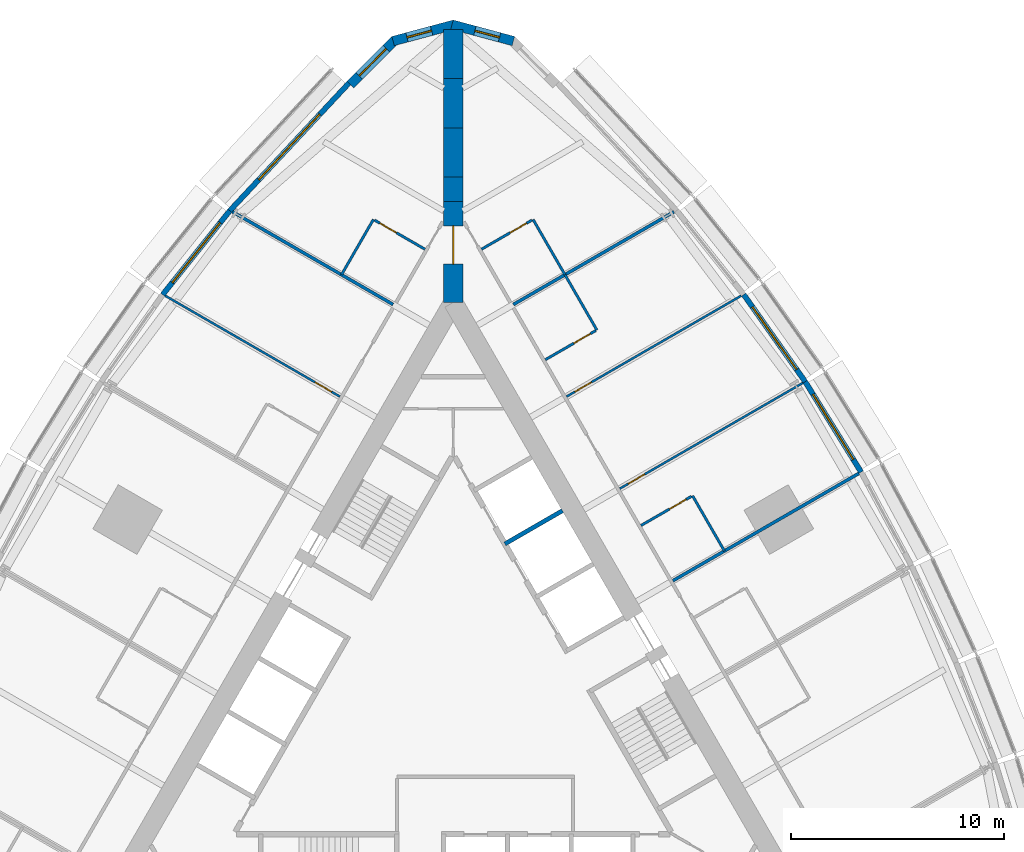
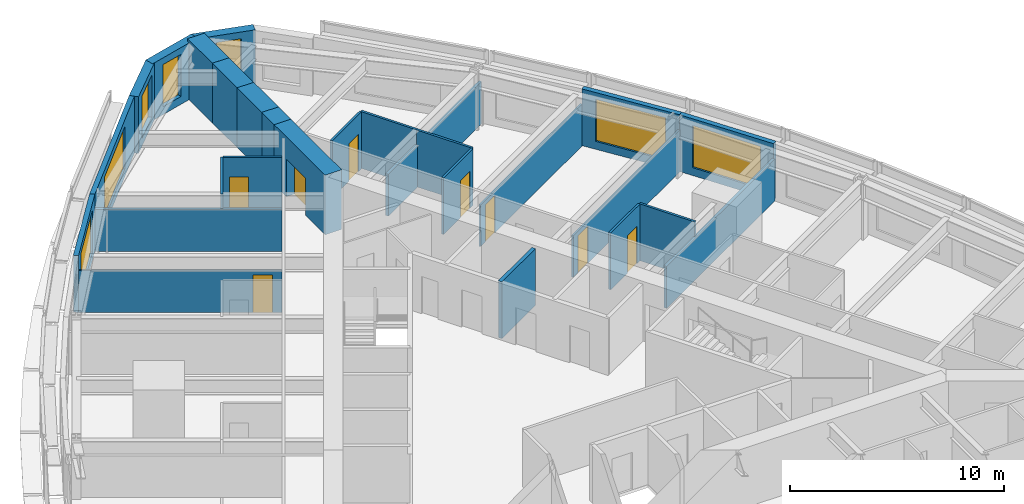
# One storey, part 12 of 14: 27 walls, 8 doors, 7 windows, 15 openings.
"""IFC4 building model written with IfcOpenShell, lengths in metres."""

from ifc_helpers import new_model, si_unit, direction, frame, frame_2d, origin, place, context, subcontext, project, spatial, polyline, rectangle, outline, extrude, material, layer, layer_set, type_object, element, fill, save


model = new_model("IFC4")

# Units and contexts
model_context = context("Model", 3, precision=1e-05, world=origin(), true_north=direction((0.0, 1.0)))
body_context = subcontext(model_context, "Body", "Model", "MODEL_VIEW")
ifc_project = project(units=[si_unit("LENGTHUNIT", "METRE"), si_unit("AREAUNIT", "SQUARE_METRE"), si_unit("VOLUMEUNIT", "CUBIC_METRE"), si_unit("PLANEANGLEUNIT", "RADIAN"), si_unit("MASSUNIT", "GRAM", prefix="KILO")], contexts=[model_context])

# Site, building, storey
site_placement = place(None, origin())
site = spatial("IfcSite", under=ifc_project, at=site_placement, CompositionType="ELEMENT")
building_placement = place(site_placement, origin())
building = spatial("IfcBuilding", under=site, at=building_placement, Name="Trikona Tower", CompositionType="ELEMENT")
storey_placement = place(building_placement, frame((0.0, 0.0, 89.699951171875)))
storey = spatial("IfcBuildingStorey", under=building, at=storey_placement, Name="L23", CompositionType="ELEMENT", Elevation=89.699951171875)

# Wall
ifc_material_1 = material(Name="Metal stud and cement board", Category="gypsum")
ifc_layer_1 = layer(ifc_material_1, 0.1201171875)
ifc_layer_set_1 = layer_set([ifc_layer_1], Name="Bathroom wall 120")
wall_type_1 = type_object("IfcWallType", Name="Bathroom wall 120", PredefinedType="PLUMBINGWALL", material=ifc_layer_set_1)
wall_1_placement = place(storey_placement, frame((12.75341796875, 7.363037109375, 0.0), z_axis=(0.0, 0.0, 1.0), x_axis=(-0.499990139034, 0.866031096941, 0.0)))
element("IfcWall", 1, at=wall_1_placement, inside=storey, type_object=wall_type_1, Name="Bathroom wall 2310.1", PredefinedType="PLUMBINGWALL", context=body_context, shape_type="SweptSolid", body=[
    extrude(rectangle(XDim=3.0, YDim=0.1201171875, at=frame_2d((1.5, 0.0))), origin(), (0.0, 0.0, 1.0), 3.235107421875),
])

# Wall, opening, door
wall_2_placement = place(storey_placement, frame((8.82861328125, 8.561279296875, 0.0), z_axis=(0.0, 0.0, 1.0), x_axis=(0.866035715982, 0.499982138324, 0.0)))
wall_2 = element("IfcWall", 2, at=wall_2_placement, inside=storey, type_object=wall_type_1, Name="Bathroom wall 2310.1", PredefinedType="PLUMBINGWALL", context=body_context, shape_type="SweptSolid", body=[
    extrude(rectangle(XDim=2.73974609375, YDim=0.1201171875, at=frame_2d((1.369873046875, 0.0))), origin(), (0.0, 0.0, 1.0), 3.235107421875),
])
opening_1_placement = place(wall_2_placement, frame((1.550048828125, 0.0, 0.0)))
opening_1 = element("IfcOpeningElement", 3, at=opening_1_placement, cuts=wall_2, Name="Opening D2", PredefinedType="OPENING", context=body_context, shape_type="SweptSolid", body=[
    extrude(rectangle(XDim=0.89990234375, YDim=2.1298828125, at=frame_2d((0.449951171875, 1.06494140625))), frame((0.0, 0.070068359375, 0.0), z_axis=(0.0, -1.0, 0.0), x_axis=(1.0, 0.0, 0.0)), (0.0, 0.0, 1.0), 0.14013671875),
])
ifc_material_2 = material(Name="Steel door frame with solid-core timber leaf", Category="steel")
door_type_1 = type_object("IfcDoorType", Name="Bathroom door 900x2130", OperationType="SLIDING_TO_LEFT", PredefinedType="DOOR", material=ifc_material_2)
door_1_placement = place(opening_1_placement, origin())
door_1 = element("IfcDoor", 4, at=door_1_placement, inside=storey, type_object=door_type_1, Name="Bathroom door 2310.1", OperationType="SLIDING_TO_LEFT", OverallHeight=2.1298828125, OverallWidth=0.89990234375, PredefinedType="DOOR", context=body_context, shape_type="SweptSolid", body=[
    extrude(rectangle(XDim=0.89990234375, YDim=2.1298828125, at=frame_2d((0.449951171875, 1.06494140625))), frame((0.0, 0.02490234375, 0.0), z_axis=(0.0, -1.0, 0.0), x_axis=(1.0, 0.0, 0.0)), (0.0, 0.0, 1.0), 0.050048828125),
])
fill(opening_1, door_1)

# Wall
wall_3_placement = place(storey_placement, frame((6.75341796875, 17.75537109375, 0.0), z_axis=(0.0, 0.0, 1.0), x_axis=(-0.499990139034, 0.866031096941, 0.0)))
element("IfcWall", 5, at=wall_3_placement, inside=storey, type_object=wall_type_1, Name="Bathroom wall 2310.2", PredefinedType="PLUMBINGWALL", context=body_context, shape_type="SweptSolid", body=[
    extrude(rectangle(XDim=3.0, YDim=0.1201171875, at=frame_2d((1.5, 0.0))), origin(), (0.0, 0.0, 1.0), 3.235107421875),
])

# Wall, opening, door
wall_4_placement = place(storey_placement, frame((4.32861328125, 16.35546875, 0.0), z_axis=(0.0, 0.0, 1.0), x_axis=(0.866035715982, 0.499982138324, 0.0)))
wall_4 = element("IfcWall", 6, at=wall_4_placement, inside=storey, type_object=wall_type_1, Name="Bathroom wall 2310.2", PredefinedType="PLUMBINGWALL", context=body_context, shape_type="SweptSolid", body=[
    extrude(rectangle(XDim=2.73974609375, YDim=0.1201171875, at=frame_2d((1.369873046875, 0.0))), origin(), (0.0, 0.0, 1.0), 3.235107421875),
])
opening_2_placement = place(wall_4_placement, frame((1.550048828125, 0.0, 0.0)))
opening_2 = element("IfcOpeningElement", 7, at=opening_2_placement, cuts=wall_4, Name="Opening D2", PredefinedType="OPENING", context=body_context, shape_type="SweptSolid", body=[
    extrude(rectangle(XDim=0.89990234375, YDim=2.1298828125, at=frame_2d((0.449951171875, 1.06494140625))), frame((0.0, 0.070068359375, 0.0), z_axis=(0.0, -1.0, 0.0), x_axis=(1.0, 0.0, 0.0)), (0.0, 0.0, 1.0), 0.14013671875),
])
door_2_placement = place(opening_2_placement, origin())
door_2 = element("IfcDoor", 8, at=door_2_placement, inside=storey, type_object=door_type_1, Name="Bathroom door 2310.2", OperationType="SLIDING_TO_LEFT", OverallHeight=2.1298828125, OverallWidth=0.89990234375, PredefinedType="DOOR", context=body_context, shape_type="SweptSolid", body=[
    extrude(rectangle(XDim=0.89990234375, YDim=2.1298828125, at=frame_2d((0.449951171875, 1.06494140625))), frame((0.0, 0.02490234375, 0.0), z_axis=(0.0, -1.0, 0.0), x_axis=(1.0, 0.0, 0.0)), (0.0, 0.0, 1.0), 0.050048828125),
])
fill(opening_2, door_2)

# Wall
wall_5_placement = place(storey_placement, frame((5.25341796875, 20.353515625, 0.0), z_axis=(0.0, 0.0, 1.0), x_axis=(-0.499990139034, 0.866031096941, 0.0)))
element("IfcWall", 9, at=wall_5_placement, inside=storey, type_object=wall_type_1, Name="Bathroom wall 2311", PredefinedType="PLUMBINGWALL", context=body_context, shape_type="SweptSolid", body=[
    extrude(rectangle(XDim=3.0, YDim=0.1201171875, at=frame_2d((1.5, 0.0))), origin(), (0.0, 0.0, 1.0), 3.235107421875),
])

# Wall, opening, door
wall_6_placement = place(storey_placement, frame((1.32861328125, 21.551513671875, 0.0), z_axis=(0.0, 0.0, 1.0), x_axis=(0.865997131366, 0.500048966069, 0.0)))
wall_6 = element("IfcWall", 10, at=wall_6_placement, inside=storey, type_object=wall_type_1, Name="Bathroom wall 2311", PredefinedType="PLUMBINGWALL", context=body_context, shape_type="SweptSolid", body=[
    extrude(rectangle(XDim=2.739990234375, YDim=0.1201171875, at=frame_2d((1.3701171875, 0.0))), origin(), (0.0, 0.0, 1.0), 3.235107421875),
])
opening_3_placement = place(wall_6_placement, frame((1.550048828125, 0.0, 0.0)))
opening_3 = element("IfcOpeningElement", 11, at=opening_3_placement, cuts=wall_6, Name="Opening D2", PredefinedType="OPENING", context=body_context, shape_type="SweptSolid", body=[
    extrude(rectangle(XDim=0.89990234375, YDim=2.1298828125, at=frame_2d((0.449951171875, 1.06494140625))), frame((0.0, 0.070068359375, 0.0), z_axis=(0.0, -1.0, 0.0), x_axis=(1.0, 0.0, 0.0)), (0.0, 0.0, 1.0), 0.14013671875),
])
door_3_placement = place(opening_3_placement, origin())
door_3 = element("IfcDoor", 12, at=door_3_placement, inside=storey, type_object=door_type_1, Name="Bathroom door 2311", OperationType="SLIDING_TO_LEFT", OverallHeight=2.1298828125, OverallWidth=0.89990234375, PredefinedType="DOOR", context=body_context, shape_type="SweptSolid", body=[
    extrude(rectangle(XDim=0.89990234375, YDim=2.1298828125, at=frame_2d((0.449951171875, 1.06494140625))), frame((0.0, 0.02490234375, 0.0), z_axis=(0.0, -1.0, 0.0), x_axis=(1.0, 0.0, 0.0)), (0.0, 0.0, 1.0), 0.050048828125),
])
fill(opening_3, door_3)

# Wall
wall_7_placement = place(storey_placement, frame((-3.75341796875, 22.95166015625, 0.0), z_axis=(0.0, 0.0, 1.0), x_axis=(-0.499990139034, -0.866031096941, 0.0)))
element("IfcWall", 13, at=wall_7_placement, inside=storey, type_object=wall_type_1, Name="Bathroom wall 2312", PredefinedType="PLUMBINGWALL", context=body_context, shape_type="SweptSolid", body=[
    extrude(rectangle(XDim=3.0, YDim=0.1201171875, at=frame_2d((1.5, 0.0))), origin(), (0.0, 0.0, 1.0), 3.235107421875),
])

# Wall, opening, door
wall_8_placement = place(storey_placement, frame((-1.32861328125, 21.551513671875, 0.0), z_axis=(0.0, 0.0, 1.0), x_axis=(-0.865997131366, 0.500048966069, 0.0)))
wall_8 = element("IfcWall", 14, at=wall_8_placement, inside=storey, type_object=wall_type_1, Name="Bathroom wall 2312", PredefinedType="PLUMBINGWALL", context=body_context, shape_type="SweptSolid", body=[
    extrude(rectangle(XDim=2.739990234375, YDim=0.1201171875, at=frame_2d((1.3701171875, 0.0))), origin(), (0.0, 0.0, 1.0), 3.235107421875),
])
opening_4_placement = place(wall_8_placement, frame((1.550048828125, 0.0, 0.0)))
opening_4 = element("IfcOpeningElement", 15, at=opening_4_placement, cuts=wall_8, Name="Opening D2", PredefinedType="OPENING", context=body_context, shape_type="SweptSolid", body=[
    extrude(rectangle(XDim=0.89990234375, YDim=2.1298828125, at=frame_2d((0.449951171875, 1.06494140625))), frame((0.0, 0.070068359375, 0.0), z_axis=(0.0, -1.0, 0.0), x_axis=(1.0, 0.0, 0.0)), (0.0, 0.0, 1.0), 0.14013671875),
])
door_4_placement = place(opening_4_placement, origin())
door_4 = element("IfcDoor", 16, at=door_4_placement, inside=storey, type_object=door_type_1, Name="Bathroom door 2312", OperationType="SLIDING_TO_LEFT", OverallHeight=2.1298828125, OverallWidth=0.89990234375, PredefinedType="DOOR", context=body_context, shape_type="SweptSolid", body=[
    extrude(rectangle(XDim=0.89990234375, YDim=2.1298828125, at=frame_2d((0.449951171875, 1.06494140625))), frame((0.0, 0.02490234375, 0.0), z_axis=(0.0, -1.0, 0.0), x_axis=(1.0, 0.0, 0.0)), (0.0, 0.0, 1.0), 0.050048828125),
])
fill(opening_4, door_4)

# Wall, opening, window
ifc_material_3 = material(Name="Brick-faced precast concrete", Category="masonry")
ifc_layer_2 = layer(ifc_material_3, 0.449951171875)
ifc_layer_set_2 = layer_set([ifc_layer_2], Name="Brick-faced corner wall 450")
wall_type_2 = type_object("IfcWallType", Name="Brick-faced corner wall 450", PredefinedType="SOLIDWALL", material=ifc_layer_set_2)
wall_9_placement = place(storey_placement, frame((2.82861328125, 31.3408203125, 0.0), z_axis=(0.0, 0.0, 1.0), x_axis=(-0.965930548995, 0.258801419081, 0.0)))
wall_9 = element("IfcWall", 17, at=wall_9_placement, inside=storey, type_object=wall_type_2, Name="External wall L23-21", PredefinedType="SOLIDWALL", context=body_context, shape_type="SweptSolid", body=[
    extrude(outline(polyline([(2.988525390625, 0.22509765625), (2.92919921875, 0.22509765625), (2.4375, 0.09326171875), (2.40234375, 0.22509765625), (0.0, 0.22509765625), (0.0, -0.22509765625), (2.988525390625, -0.22509765625), (2.988525390625, 0.22509765625)])), origin(), (0.0, 0.0, 1.0), 3.235107421875),
])
opening_5_placement = place(wall_9_placement, frame((0.676025390625, 0.0, 0.449951171875)))
opening_5 = element("IfcOpeningElement", 18, at=opening_5_placement, cuts=wall_9, Name="Opening W1224", PredefinedType="OPENING", context=body_context, shape_type="SweptSolid", body=[
    extrude(rectangle(XDim=1.199951171875, YDim=2.39990234375, at=frame_2d((0.60009765625, 1.199951171875))), frame((0.0, 0.23486328125, 0.0), z_axis=(0.0, -1.0, 0.0), x_axis=(1.0, 0.0, 0.0)), (0.0, 0.0, 1.0), 0.469970703125),
])
ifc_material_4 = material(Name="Aluminium-framed double glazing", Category="aluminium")
window_type_1 = type_object("IfcWindowType", Name="Window 1200x2400", PartitioningType="SINGLE_PANEL", PredefinedType="WINDOW", material=ifc_material_4)
window_1_placement = place(opening_5_placement, origin())
window_1 = element("IfcWindow", 19, at=window_1_placement, inside=storey, type_object=window_type_1, Name="Window 2311", OverallHeight=2.39990234375, OverallWidth=1.199951171875, PartitioningType="SINGLE_PANEL", PredefinedType="WINDOW", context=body_context, shape_type="SweptSolid", body=[
    extrude(rectangle(XDim=1.199951171875, YDim=2.39990234375, at=frame_2d((0.60009765625, 1.199951171875))), frame((0.0, 0.030029296875, 0.0), z_axis=(0.0, -1.0, 0.0), x_axis=(1.0, 0.0, 0.0)), (0.0, 0.0, 1.0), 0.06005859375),
])
fill(opening_5, window_1)

wall_10_placement = place(storey_placement, frame((0.05810546875, 32.1142578125, 0.0), z_axis=(0.0, 0.0, 1.0), x_axis=(-0.965930548995, -0.258801419081, 0.0)))
wall_10 = element("IfcWall", 20, at=wall_10_placement, inside=storey, type_object=wall_type_2, Name="External wall L23-22", PredefinedType="SOLIDWALL", context=body_context, shape_type="SweptSolid", body=[
    extrude(outline(polyline([(2.988525390625, 0.22509765625), (0.58642578125, 0.22509765625), (0.551025390625, 0.09326171875), (0.059326171875, 0.22509765625), (0.0, 0.22509765625), (0.0, -0.22509765625), (2.988525390625, -0.22509765625), (2.988525390625, 0.22509765625)])), origin(), (0.0, 0.0, 1.0), 3.235107421875),
])
opening_6_placement = place(wall_10_placement, frame((1.112548828125, 0.0, 0.449951171875)))
opening_6 = element("IfcOpeningElement", 21, at=opening_6_placement, cuts=wall_10, Name="Opening W1224", PredefinedType="OPENING", context=body_context, shape_type="SweptSolid", body=[
    extrude(rectangle(XDim=1.199951171875, YDim=2.39990234375, at=frame_2d((0.60009765625, 1.199951171875))), frame((0.0, 0.23486328125, 0.0), z_axis=(0.0, -1.0, 0.0), x_axis=(1.0, 0.0, 0.0)), (0.0, 0.0, 1.0), 0.469970703125),
])
window_2_placement = place(opening_6_placement, origin())
window_2 = element("IfcWindow", 22, at=window_2_placement, inside=storey, type_object=window_type_1, Name="Window 2312", OverallHeight=2.39990234375, OverallWidth=1.199951171875, PartitioningType="SINGLE_PANEL", PredefinedType="WINDOW", context=body_context, shape_type="SweptSolid", body=[
    extrude(rectangle(XDim=1.199951171875, YDim=2.39990234375, at=frame_2d((0.60009765625, 1.199951171875))), frame((0.0, 0.030029296875, 0.0), z_axis=(0.0, -1.0, 0.0), x_axis=(1.0, 0.0, 0.0)), (0.0, 0.0, 1.0), 0.06005859375),
])
fill(opening_6, window_2)

wall_11_placement = place(storey_placement, frame((-2.727783203125, 31.39892578125, 0.0), z_axis=(0.0, 0.0, 1.0), x_axis=(-0.707106781187, -0.707106781187, 0.0)))
wall_11 = element("IfcWall", 23, at=wall_11_placement, inside=storey, type_object=wall_type_2, Name="External wall L23-23", PredefinedType="SOLIDWALL", context=body_context, shape_type="SweptSolid", body=[
    extrude(rectangle(XDim=2.98828125, YDim=0.449951171875, at=frame_2d((1.494140625, 0.0))), origin(), (0.0, 0.0, 1.0), 3.235107421875),
])
opening_7_placement = place(wall_11_placement, frame((0.59423828125, 0.0, 0.449951171875)))
opening_7 = element("IfcOpeningElement", 24, at=opening_7_placement, cuts=wall_11, Name="Opening W1824", PredefinedType="OPENING", context=body_context, shape_type="SweptSolid", body=[
    extrude(rectangle(XDim=1.800048828125, YDim=2.39990234375, at=frame_2d((0.89990234375, 1.199951171875))), frame((0.0, 0.23486328125, 0.0), z_axis=(0.0, -1.0, 0.0), x_axis=(1.0, 0.0, 0.0)), (0.0, 0.0, 1.0), 0.469970703125),
])
ifc_material_5 = material(Name="Aluminium-framed double glazing", Category="aluminium")
window_type_2 = type_object("IfcWindowType", Name="Window 1800x2400", PartitioningType="SINGLE_PANEL", PredefinedType="WINDOW", material=ifc_material_5)
window_3_placement = place(opening_7_placement, origin())
window_3 = element("IfcWindow", 25, at=window_3_placement, inside=storey, type_object=window_type_2, Name="Window 2312", OverallHeight=2.39990234375, OverallWidth=1.800048828125, PartitioningType="SINGLE_PANEL", PredefinedType="WINDOW", context=body_context, shape_type="SweptSolid", body=[
    extrude(rectangle(XDim=1.800048828125, YDim=2.39990234375, at=frame_2d((0.89990234375, 1.199951171875))), frame((0.0, 0.030029296875, 0.0), z_axis=(0.0, -1.0, 0.0), x_axis=(1.0, 0.0, 0.0)), (0.0, 0.0, 1.0), 0.06005859375),
])
fill(opening_7, window_3)

# Wall, opening, door
ifc_material_6 = material(Name="Concrete f'c 10000 psi", Category="concrete")
ifc_layer_3 = layer(ifc_material_6, 0.89990234375)
ifc_layer_set_3 = layer_set([ifc_layer_3], Name="Buttress wall 900")
wall_type_3 = type_object("IfcWallType", Name="Buttress wall 900", PredefinedType="SHEAR", material=ifc_layer_set_3)
wall_12_placement = place(storey_placement, frame((0.0, 19.052490234375, 0.0), z_axis=(0.0, 0.0, 1.0), x_axis=(0.0, 1.0, 0.0)))
wall_12 = element("IfcWall", 26, at=wall_12_placement, inside=storey, type_object=wall_type_3, Name="Buttress wall 2", PredefinedType="SHEAR", context=body_context, shape_type="SweptSolid", body=[
    extrude(rectangle(XDim=4.74609375, YDim=0.89990234375, at=frame_2d((2.373046875, 0.0))), origin(), (0.0, 0.0, 1.0), 3.400146484375),
])
opening_8_placement = place(wall_12_placement, frame((1.800048828125, 0.0, 0.0)))
opening_8 = element("IfcOpeningElement", 27, at=opening_8_placement, cuts=wall_12, Name="Opening D10", PredefinedType="OPENING", context=body_context, shape_type="SweptSolid", body=[
    extrude(rectangle(XDim=1.800048828125, YDim=2.1298828125, at=frame_2d((0.89990234375, 1.06494140625))), frame((0.0, 0.4599609375, 0.0), z_axis=(0.0, -1.0, 0.0), x_axis=(1.0, 0.0, 0.0)), (0.0, 0.0, 1.0), 0.919921875),
])
ifc_material_7 = material(Name="Hollow metal door and frame", Category="steel")
door_type_2 = type_object("IfcDoorType", Name="Cross-corridor door pair 1800x2130", OperationType="DOUBLE_DOOR_DOUBLE_SWING", PredefinedType="DOOR", material=ifc_material_7)
door_5_placement = place(opening_8_placement, origin())
door_5 = element("IfcDoor", 28, at=door_5_placement, inside=storey, type_object=door_type_2, Name="Cross-corridor door 2", OperationType="DOUBLE_DOOR_DOUBLE_SWING", OverallHeight=2.1298828125, OverallWidth=1.800048828125, PredefinedType="DOOR", context=body_context, shape_type="SweptSolid", body=[
    extrude(rectangle(XDim=1.800048828125, YDim=2.1298828125, at=frame_2d((0.89990234375, 1.06494140625))), frame((0.0, 0.02490234375, 0.0), z_axis=(0.0, -1.0, 0.0), x_axis=(1.0, 0.0, 0.0)), (0.0, 0.0, 1.0), 0.050048828125),
])
fill(opening_8, door_5)

# Walls
wall_13_placement = place(storey_placement, frame((0.0, 23.798583984375, 0.0), z_axis=(0.0, 0.0, 1.0), x_axis=(0.0, 1.0, 0.0)))
element("IfcWall", 29, at=wall_13_placement, inside=storey, type_object=wall_type_3, Name="Buttress wall 2 part 2", PredefinedType="SHEAR", context=body_context, shape_type="SweptSolid", body=[
    extrude(rectangle(XDim=1.15478515625, YDim=0.89990234375, at=frame_2d((0.577392578125, 0.0))), origin(), (0.0, 0.0, 1.0), 3.400146484375),
])
wall_14_placement = place(storey_placement, frame((0.0, 24.953369140625, 0.0), z_axis=(0.0, 0.0, 1.0), x_axis=(0.0, 1.0, 0.0)))
element("IfcWall", 30, at=wall_14_placement, inside=storey, type_object=wall_type_3, Name="Buttress wall 2 part 3", PredefinedType="SHEAR", context=body_context, shape_type="SweptSolid", body=[
    extrude(rectangle(XDim=2.309326171875, YDim=0.89990234375, at=frame_2d((1.15478515625, 0.0))), origin(), (0.0, 0.0, 1.0), 3.400146484375),
])
wall_15_placement = place(storey_placement, frame((0.0, 27.2626953125, 0.0), z_axis=(0.0, 0.0, 1.0), x_axis=(0.0, 1.0, 0.0)))
element("IfcWall", 31, at=wall_15_placement, inside=storey, type_object=wall_type_3, Name="Buttress wall 2 part 4", PredefinedType="SHEAR", context=body_context, shape_type="SweptSolid", body=[
    extrude(rectangle(XDim=2.3095703125, YDim=0.89990234375, at=frame_2d((1.15478515625, 0.0))), origin(), (0.0, 0.0, 1.0), 3.400146484375),
])
wall_16_placement = place(storey_placement, frame((0.0, 29.572265625, 0.0), z_axis=(0.0, 0.0, 1.0), x_axis=(0.0, 1.0, 0.0)))
element("IfcWall", 32, at=wall_16_placement, inside=storey, type_object=wall_type_3, Name="Buttress wall 2 part 5", PredefinedType="SHEAR", context=body_context, shape_type="SweptSolid", body=[
    extrude(rectangle(XDim=2.309326171875, YDim=0.89990234375, at=frame_2d((1.15478515625, 0.0))), origin(), (0.0, 0.0, 1.0), 3.400146484375),
])

# Wall, opening, window
ifc_material_8 = material(Name="Insulated precast concrete spandrel panel", Category="concrete")
ifc_layer_4 = layer(ifc_material_8, 0.25)
ifc_layer_set_4 = layer_set([ifc_layer_4], Name="Inner skin wall 250")
wall_type_4 = type_object("IfcWallType", Name="Inner skin wall 250", PredefinedType="STANDARD", material=ifc_layer_set_4)
wall_17_placement = place(storey_placement, frame((19.182373046875, 11.070556640625, 0.0), z_axis=(0.0, 0.0, 1.0), x_axis=(-0.526132807704, 0.850402415717, 0.0)))
wall_17 = element("IfcWall", 33, at=wall_17_placement, inside=storey, type_object=wall_type_4, Name="External wall L23-16", PredefinedType="STANDARD", context=body_context, shape_type="SweptSolid", body=[
    extrude(rectangle(XDim=5.002197265625, YDim=0.25, at=frame_2d((2.5009765625, 0.0))), origin(), (0.0, 0.0, 1.0), 3.235107421875),
])
opening_9_placement = place(wall_17_placement, frame((0.701171875, 0.0, 0.449951171875)))
opening_9 = element("IfcOpeningElement", 34, at=opening_9_placement, cuts=wall_17, Name="Opening W3624", PredefinedType="OPENING", context=body_context, shape_type="SweptSolid", body=[
    extrude(rectangle(XDim=3.60009765625, YDim=2.39990234375, at=frame_2d((1.800048828125, 1.199951171875))), frame((0.0, 0.135009765625, 0.0), z_axis=(0.0, -1.0, 0.0), x_axis=(1.0, 0.0, 0.0)), (0.0, 0.0, 1.0), 0.27001953125),
])
ifc_material_9 = material(Name="Aluminium-framed double glazing", Category="aluminium")
window_type_3 = type_object("IfcWindowType", Name="Window 3600x2400", PartitioningType="SINGLE_PANEL", PredefinedType="WINDOW", material=ifc_material_9)
window_4_placement = place(opening_9_placement, origin())
window_4 = element("IfcWindow", 35, at=window_4_placement, inside=storey, type_object=window_type_3, Name="Window 2310.1", OverallHeight=2.39990234375, OverallWidth=3.60009765625, PartitioningType="SINGLE_PANEL", PredefinedType="WINDOW", context=body_context, shape_type="SweptSolid", body=[
    extrude(rectangle(XDim=3.60009765625, YDim=2.39990234375, at=frame_2d((1.800048828125, 1.199951171875))), frame((0.0, 0.030029296875, 0.0), z_axis=(0.0, -1.0, 0.0), x_axis=(1.0, 0.0, 0.0)), (0.0, 0.0, 1.0), 0.06005859375),
])
fill(opening_9, window_4)

wall_18_placement = place(storey_placement, frame((16.5546875, 15.318115234375, 0.0), z_axis=(0.0, 0.0, 1.0), x_axis=(-0.5766431066, 0.81699616132, 0.0)))
wall_18 = element("IfcWall", 36, at=wall_18_placement, inside=storey, type_object=wall_type_4, Name="External wall L23-17", PredefinedType="STANDARD", context=body_context, shape_type="SweptSolid", body=[
    extrude(rectangle(XDim=5.02099609375, YDim=0.25, at=frame_2d((2.510498046875, 0.0))), origin(), (0.0, 0.0, 1.0), 3.235107421875),
])
opening_10_placement = place(wall_18_placement, frame((0.71044921875, 0.0, 0.449951171875)))
opening_10 = element("IfcOpeningElement", 37, at=opening_10_placement, cuts=wall_18, Name="Opening W3624", PredefinedType="OPENING", context=body_context, shape_type="SweptSolid", body=[
    extrude(rectangle(XDim=3.60009765625, YDim=2.39990234375, at=frame_2d((1.800048828125, 1.199951171875))), frame((0.0, 0.135009765625, 0.0), z_axis=(0.0, -1.0, 0.0), x_axis=(1.0, 0.0, 0.0)), (0.0, 0.0, 1.0), 0.27001953125),
])
window_5_placement = place(opening_10_placement, origin())
window_5 = element("IfcWindow", 38, at=window_5_placement, inside=storey, type_object=window_type_3, Name="Window 2310", OverallHeight=2.39990234375, OverallWidth=3.60009765625, PartitioningType="SINGLE_PANEL", PredefinedType="WINDOW", context=body_context, shape_type="SweptSolid", body=[
    extrude(rectangle(XDim=3.60009765625, YDim=2.39990234375, at=frame_2d((1.800048828125, 1.199951171875))), frame((0.0, 0.030029296875, 0.0), z_axis=(0.0, -1.0, 0.0), x_axis=(1.0, 0.0, 0.0)), (0.0, 0.0, 1.0), 0.06005859375),
])
fill(opening_10, window_5)

wall_19_placement = place(storey_placement, frame((-4.90869140625, 29.359619140625, 0.0), z_axis=(0.0, 0.0, 1.0), x_axis=(-0.682289646561, -0.731081964075, 0.0)))
wall_19 = element("IfcWall", 39, at=wall_19_placement, inside=storey, type_object=wall_type_4, Name="External wall L23-24", PredefinedType="STANDARD", context=body_context, shape_type="SweptSolid", body=[
    extrude(rectangle(XDim=8.2109375, YDim=0.25, at=frame_2d((4.10546875, 0.0))), origin(), (0.0, 0.0, 1.0), 3.235107421875),
])
opening_11_placement = place(wall_19_placement, frame((2.005615234375, 0.0, 0.449951171875)))
opening_11 = element("IfcOpeningElement", 40, at=opening_11_placement, cuts=wall_19, Name="Opening W4224", PredefinedType="OPENING", context=body_context, shape_type="SweptSolid", body=[
    extrude(rectangle(XDim=4.199951171875, YDim=2.39990234375, at=frame_2d((2.10009765625, 1.199951171875))), frame((0.0, 0.135009765625, 0.0), z_axis=(0.0, -1.0, 0.0), x_axis=(1.0, 0.0, 0.0)), (0.0, 0.0, 1.0), 0.27001953125),
])
ifc_material_10 = material(Name="Aluminium-framed double glazing", Category="aluminium")
window_type_4 = type_object("IfcWindowType", Name="Window 4200x2400", PartitioningType="SINGLE_PANEL", PredefinedType="WINDOW", material=ifc_material_10)
window_6_placement = place(opening_11_placement, origin())
window_6 = element("IfcWindow", 41, at=window_6_placement, inside=storey, type_object=window_type_4, Name="Window 2312", OverallHeight=2.39990234375, OverallWidth=4.199951171875, PartitioningType="SINGLE_PANEL", PredefinedType="WINDOW", context=body_context, shape_type="SweptSolid", body=[
    extrude(rectangle(XDim=4.199951171875, YDim=2.39990234375, at=frame_2d((2.10009765625, 1.199951171875))), frame((0.0, 0.030029296875, 0.0), z_axis=(0.0, -1.0, 0.0), x_axis=(1.0, 0.0, 0.0)), (0.0, 0.0, 1.0), 0.06005859375),
])
fill(opening_11, window_6)

wall_20_placement = place(storey_placement, frame((-10.5048828125, 23.36376953125, 0.0), z_axis=(0.0, 0.0, 1.0), x_axis=(-0.624594965756, -0.780948864364, 0.0)))
wall_20 = element("IfcWall", 42, at=wall_20_placement, inside=storey, type_object=wall_type_4, Name="External wall L23-25", PredefinedType="STANDARD", context=body_context, shape_type="SweptSolid", body=[
    extrude(rectangle(XDim=5.0576171875, YDim=0.25, at=frame_2d((2.52880859375, 0.0))), origin(), (0.0, 0.0, 1.0), 3.235107421875),
])
opening_12_placement = place(wall_20_placement, frame((0.728759765625, 0.0, 0.449951171875)))
opening_12 = element("IfcOpeningElement", 43, at=opening_12_placement, cuts=wall_20, Name="Opening W3624", PredefinedType="OPENING", context=body_context, shape_type="SweptSolid", body=[
    extrude(rectangle(XDim=3.60009765625, YDim=2.39990234375, at=frame_2d((1.800048828125, 1.199951171875))), frame((0.0, 0.135009765625, 0.0), z_axis=(0.0, -1.0, 0.0), x_axis=(1.0, 0.0, 0.0)), (0.0, 0.0, 1.0), 0.27001953125),
])
window_7_placement = place(opening_12_placement, origin())
window_7 = element("IfcWindow", 44, at=window_7_placement, inside=storey, type_object=window_type_3, Name="Window 2313", OverallHeight=2.39990234375, OverallWidth=3.60009765625, PartitioningType="SINGLE_PANEL", PredefinedType="WINDOW", context=body_context, shape_type="SweptSolid", body=[
    extrude(rectangle(XDim=3.60009765625, YDim=2.39990234375, at=frame_2d((1.800048828125, 1.199951171875))), frame((0.0, 0.030029296875, 0.0), z_axis=(0.0, -1.0, 0.0), x_axis=(1.0, 0.0, 0.0)), (0.0, 0.0, 1.0), 0.06005859375),
])
fill(opening_12, window_7)

# Walls
ifc_material_11 = material(Name="Metal stud and gypsum board, 1-hour acoustic", Category="gypsum")
ifc_layer_5 = layer(ifc_material_11, 0.14990234375)
ifc_layer_set_5 = layer_set([ifc_layer_5], Name="Party wall 150")
wall_type_5 = type_object("IfcWallType", Name="Party wall 150", PredefinedType="PARTITIONING", material=ifc_layer_set_5)
wall_21_placement = place(storey_placement, frame((10.32861328125, 5.963134765625, 0.0), z_axis=(0.0, 0.0, 1.0), x_axis=(0.866021688545, 0.500006434927, 0.0)))
element("IfcWall", 45, at=wall_21_placement, inside=storey, type_object=wall_type_5, Name="Partition L23 F2 u0", PredefinedType="PARTITIONING", context=body_context, shape_type="SweptSolid", body=[
    extrude(rectangle(XDim=10.095947265625, YDim=0.14990234375, at=frame_2d((5.0478515625, 0.0))), origin(), (0.0, 0.0, 1.0), 2.38916015625),
])
for number, where, z_axis, x_axis, name in (
    (46, (2.82861328125, 18.95361328125, 0.0), (0.0, 0.0, 1.0), (0.866020536561, 0.500008430184, 0.0), "Partition L23 F2 u15"),
    (47, (-2.82861328125, 18.95361328125, 0.0), (0.0, 0.0, 1.0), (-0.866020536561, 0.500008430184, 0.0), "Partition L23 F3 u-15"),
):
    element("IfcWall", number, at=place(storey_placement, frame(where, z_axis=z_axis, x_axis=x_axis)), inside=storey, type_object=wall_type_5, Name=name, PredefinedType="PARTITIONING", context=body_context, shape_type="SweptSolid", body=[
        extrude(rectangle(XDim=8.719970703125, YDim=0.14990234375, at=frame_2d((4.35986328125, 0.0))), origin(), (0.0, 0.0, 1.0), 2.38916015625),
    ])
ifc_material_12 = material(Name="Concrete f'c 8000 psi", Category="concrete")
ifc_layer_6 = layer(ifc_material_12, 0.199951171875)
ifc_layer_set_6 = layer_set([ifc_layer_6], Name="Shaft wall 200")
wall_type_6 = type_object("IfcWallType", Name="Shaft wall 200", PredefinedType="SOLIDWALL", material=ifc_layer_set_6)
wall_22_placement = place(storey_placement, frame((2.428955078125, 7.695556640625, 0.0), z_axis=(0.0, 0.0, 1.0), x_axis=(0.866022959057, 0.500004234368, 0.0)))
element("IfcWall", 48, at=wall_22_placement, inside=storey, type_object=wall_type_6, Name="Shaft wall B5", PredefinedType="SOLIDWALL", context=body_context, shape_type="SweptSolid", body=[
    extrude(rectangle(XDim=3.125, YDim=0.199951171875, at=frame_2d((1.5625, 0.0))), origin(), (0.0, 0.0, 1.0), 3.235107421875),
])

# Wall, opening, door
ifc_material_13 = material(Name="Metal stud and gypsum board, acoustic", Category="gypsum")
ifc_layer_7 = layer(ifc_material_13, 0.10009765625)
ifc_layer_set_7 = layer_set([ifc_layer_7], Name="Suite partition 100")
wall_type_7 = type_object("IfcWallType", Name="Suite partition 100", PredefinedType="PARTITIONING", material=ifc_layer_set_7)
wall_23_placement = place(storey_placement, frame((7.82861328125, 10.293212890625, 0.0), z_axis=(0.0, 0.0, 1.0), x_axis=(0.866016302457, 0.50001576363, 0.0)))
wall_23 = element("IfcWall", 49, at=wall_23_placement, inside=storey, type_object=wall_type_7, Name="Suite partition L23 F2 u5", PredefinedType="PARTITIONING", context=body_context, shape_type="SweptSolid", body=[
    extrude(rectangle(XDim=9.943115234375, YDim=0.10009765625, at=frame_2d((4.9716796875, 0.0))), origin(), (0.0, 0.0, 1.0), 2.38916015625),
])
opening_13_placement = place(wall_23_placement, frame((0.449951171875, 0.0, 0.0)))
opening_13 = element("IfcOpeningElement", 50, at=opening_13_placement, cuts=wall_23, Name="Opening D13", PredefinedType="OPENING", context=body_context, shape_type="SweptSolid", body=[
    extrude(rectangle(XDim=0.89990234375, YDim=2.1298828125, at=frame_2d((0.449951171875, 1.06494140625))), frame((0.0, 0.06005859375, 0.0), z_axis=(0.0, -1.0, 0.0), x_axis=(1.0, 0.0, 0.0)), (0.0, 0.0, 1.0), 0.1201171875),
])
ifc_material_14 = material(Name="Steel door frame with solid-core timber leaf", Category="steel")
door_type_3 = type_object("IfcDoorType", Name="Suite door 900x2130", OperationType="SINGLE_SWING_LEFT", PredefinedType="DOOR", material=ifc_material_14)
door_6_placement = place(opening_13_placement, origin())
door_6 = element("IfcDoor", 51, at=door_6_placement, inside=storey, type_object=door_type_3, Name="Suite door 2310", OperationType="SINGLE_SWING_LEFT", OverallHeight=2.1298828125, OverallWidth=0.89990234375, PredefinedType="DOOR", context=body_context, shape_type="SweptSolid", body=[
    extrude(rectangle(XDim=0.89990234375, YDim=2.1298828125, at=frame_2d((0.449951171875, 1.06494140625))), frame((0.0, 0.02490234375, 0.0), z_axis=(0.0, -1.0, 0.0), x_axis=(1.0, 0.0, 0.0)), (0.0, 0.0, 1.0), 0.050048828125),
])
fill(opening_13, door_6)

wall_24_placement = place(storey_placement, frame((5.32861328125, 14.623291015625, 0.0), z_axis=(0.0, 0.0, 1.0), x_axis=(0.866018409083, 0.500012114982, 0.0)))
wall_24 = element("IfcWall", 52, at=wall_24_placement, inside=storey, type_object=wall_type_7, Name="Suite partition L23 F2 u10", PredefinedType="PARTITIONING", context=body_context, shape_type="SweptSolid", body=[
    extrude(rectangle(XDim=9.484619140625, YDim=0.10009765625, at=frame_2d((4.7421875, 0.0))), origin(), (0.0, 0.0, 1.0), 2.38916015625),
])
opening_14_placement = place(wall_24_placement, frame((0.449951171875, 0.0, 0.0)))
opening_14 = element("IfcOpeningElement", 53, at=opening_14_placement, cuts=wall_24, Name="Opening D13", PredefinedType="OPENING", context=body_context, shape_type="SweptSolid", body=[
    extrude(rectangle(XDim=0.89990234375, YDim=2.1298828125, at=frame_2d((0.449951171875, 1.06494140625))), frame((0.0, 0.06005859375, 0.0), z_axis=(0.0, -1.0, 0.0), x_axis=(1.0, 0.0, 0.0)), (0.0, 0.0, 1.0), 0.1201171875),
])
door_7_placement = place(opening_14_placement, origin())
door_7 = element("IfcDoor", 54, at=door_7_placement, inside=storey, type_object=door_type_3, Name="Suite door 2310", OperationType="SINGLE_SWING_LEFT", OverallHeight=2.1298828125, OverallWidth=0.89990234375, PredefinedType="DOOR", context=body_context, shape_type="SweptSolid", body=[
    extrude(rectangle(XDim=0.89990234375, YDim=2.1298828125, at=frame_2d((0.449951171875, 1.06494140625))), frame((0.0, 0.02490234375, 0.0), z_axis=(0.0, -1.0, 0.0), x_axis=(1.0, 0.0, 0.0)), (0.0, 0.0, 1.0), 0.050048828125),
])
fill(opening_14, door_7)

wall_25_placement = place(storey_placement, frame((-5.32861328125, 14.623291015625, 0.0), z_axis=(0.0, 0.0, 1.0), x_axis=(-0.866018409083, 0.500012114982, 0.0)))
wall_25 = element("IfcWall", 55, at=wall_25_placement, inside=storey, type_object=wall_type_7, Name="Suite partition L23 F3 u-10", PredefinedType="PARTITIONING", context=body_context, shape_type="SweptSolid", body=[
    extrude(rectangle(XDim=9.484619140625, YDim=0.10009765625, at=frame_2d((4.7421875, 0.0))), origin(), (0.0, 0.0, 1.0), 2.38916015625),
])
opening_15_placement = place(wall_25_placement, frame((0.449951171875, 0.0, 0.0)))
opening_15 = element("IfcOpeningElement", 56, at=opening_15_placement, cuts=wall_25, Name="Opening D13", PredefinedType="OPENING", context=body_context, shape_type="SweptSolid", body=[
    extrude(rectangle(XDim=0.89990234375, YDim=2.1298828125, at=frame_2d((0.449951171875, 1.06494140625))), frame((0.0, 0.06005859375, 0.0), z_axis=(0.0, -1.0, 0.0), x_axis=(1.0, 0.0, 0.0)), (0.0, 0.0, 1.0), 0.1201171875),
])
door_8_placement = place(opening_15_placement, origin())
door_8 = element("IfcDoor", 57, at=door_8_placement, inside=storey, type_object=door_type_3, Name="Suite door 2313", OperationType="SINGLE_SWING_LEFT", OverallHeight=2.1298828125, OverallWidth=0.89990234375, PredefinedType="DOOR", context=body_context, shape_type="SweptSolid", body=[
    extrude(rectangle(XDim=0.89990234375, YDim=2.1298828125, at=frame_2d((0.449951171875, 1.06494140625))), frame((0.0, 0.02490234375, 0.0), z_axis=(0.0, -1.0, 0.0), x_axis=(1.0, 0.0, 0.0)), (0.0, 0.0, 1.0), 0.050048828125),
])
fill(opening_15, door_8)

save(model, "model.ifc")
